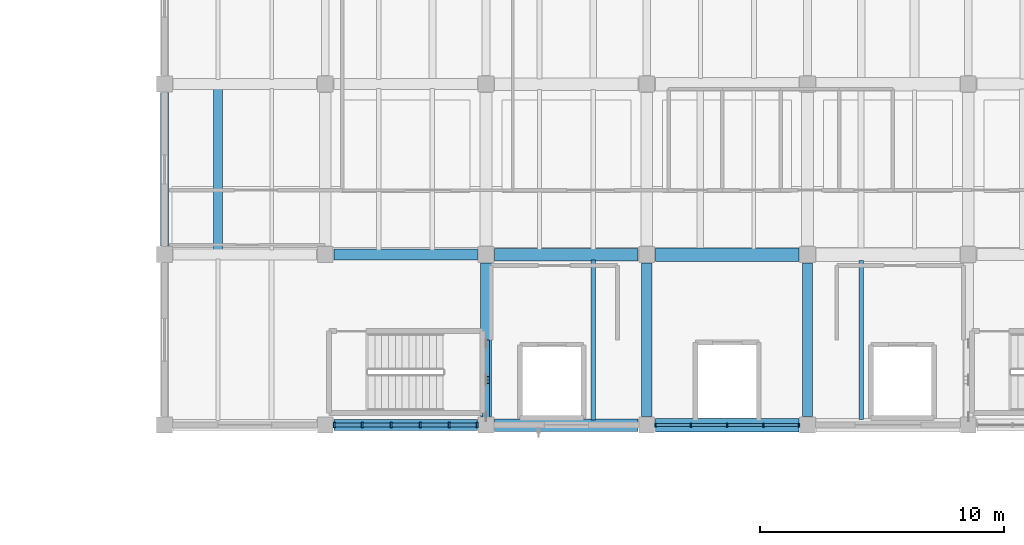
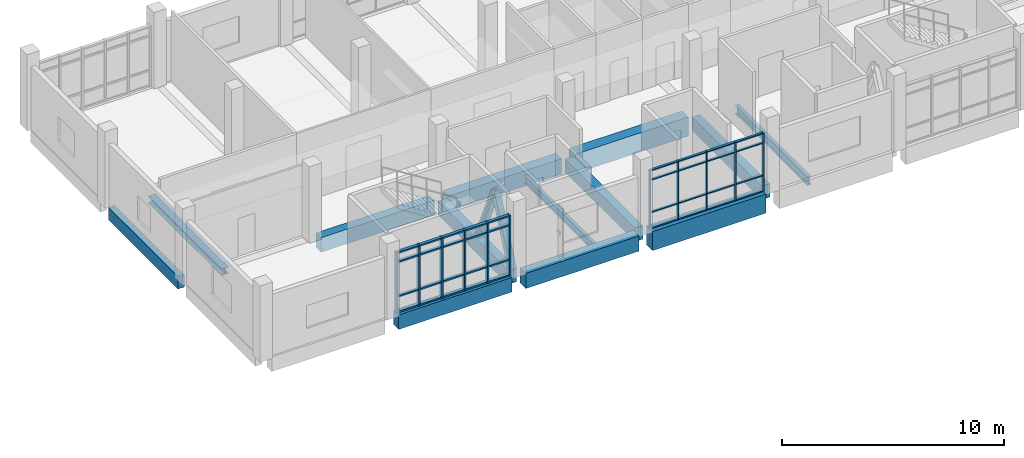
# One storey, part 2 of 16: 49 members, 13 beams, 2 elements without a shape of their own.
"""IFC4 building model written with IfcOpenShell, lengths in metres."""

from ifc_helpers import new_model, si_unit, direction, frame, origin, origin_2d, place, context, subcontext, project, spatial, rectangle, i_section, extrude, material, material_profile, profile_set, type_object, element, aggregate, save


model = new_model("IFC4")

# Units and contexts
model_context = context("Model", 3, precision=1e-05, world=origin(), true_north=direction((0.0, 1.0)))
body_context = subcontext(model_context, "Body", "Model", "MODEL_VIEW")
ifc_project = project(units=[si_unit("LENGTHUNIT", "METRE"), si_unit("AREAUNIT", "SQUARE_METRE"), si_unit("VOLUMEUNIT", "CUBIC_METRE"), si_unit("PLANEANGLEUNIT", "RADIAN"), si_unit("MASSUNIT", "GRAM", prefix="KILO")], contexts=[model_context])

# Site, building, storey
site_placement = place(None, origin())
site = spatial("IfcSite", under=ifc_project, at=site_placement, CompositionType="ELEMENT")
building_placement = place(site_placement, origin())
building = spatial("IfcBuilding", under=site, at=building_placement, Name="Ciguamira Faculty of Natural Sciences", CompositionType="ELEMENT")
storey_placement = place(building_placement, frame((0.0, 0.0, 25.199951171875)))
storey = spatial("IfcBuildingStorey", under=building, at=storey_placement, Name="L06", CompositionType="ELEMENT", Elevation=25.199951171875)

# Curtain wall, members
ifc_material_1 = material(Name="Anodized aluminium curtain wall", Category="aluminium")
curtain_wall_type_1 = type_object("IfcCurtainWallType", Name="CurtainWall_CW-10", PredefinedType="USERDEFINED", material=ifc_material_1)
curtain_wall_1_placement = place(storey_placement, origin())
curtain_wall_1 = element("IfcCurtainWall", 1, at=curtain_wall_1_placement, inside=storey, type_object=curtain_wall_type_1, Name="L06 unitised curtain wall 0142", ObjectType="UNITISED CURTAIN WALL", PredefinedType="USERDEFINED")
ifc_material_2 = material(Name="Anodized aluminium mullion", Category="aluminium")
ifc_material_profile_1 = material_profile(ifc_material_2, rectangle(XDim=0.06005859375, YDim=0.159912109375, at=origin_2d()), Name="ALU-MUL-60X160")
ifc_profile_set_1 = profile_set([ifc_material_profile_1], Name="Anodized aluminium mullion")
member_type_1 = type_object("IfcMemberType", Name="CWMullion_CWM-01", PredefinedType="MULLION", material=ifc_profile_set_1)
member_1_placement = place(storey_placement, frame((84.054931640625, 94.0, 0.0), z_axis=(0.0, 0.0, 1.0), x_axis=(1.0, 0.0, 0.0)))
member_1 = element("IfcMember", 2, at=member_1_placement, type_object=member_type_1, Name="CW-10 mullion 1", PredefinedType="MULLION", context=body_context, shape_type="SweptSolid", body=[
    extrude(rectangle(XDim=0.06005859375, YDim=0.159912109375, at=origin_2d()), origin(), (0.0, 0.0, 1.0), 3.235107421875),
])
member_2_placement = place(storey_placement, frame((85.512451171875, 94.0, 0.0), z_axis=(0.0, 0.0, 1.0), x_axis=(1.0, 0.0, 0.0)))
member_2 = element("IfcMember", 3, at=member_2_placement, type_object=member_type_1, Name="CW-10 mullion 2", PredefinedType="MULLION", context=body_context, shape_type="SweptSolid", body=[
    extrude(rectangle(XDim=0.06005859375, YDim=0.159912109375, at=origin_2d()), origin(), (0.0, 0.0, 1.0), 3.235107421875),
])
member_3_placement = place(storey_placement, frame((87.0, 94.0, 0.0), z_axis=(0.0, 0.0, 1.0), x_axis=(1.0, 0.0, 0.0)))
member_3 = element("IfcMember", 4, at=member_3_placement, type_object=member_type_1, Name="CW-10 mullion 3", PredefinedType="MULLION", context=body_context, shape_type="SweptSolid", body=[
    extrude(rectangle(XDim=0.06005859375, YDim=0.159912109375, at=origin_2d()), origin(), (0.0, 0.0, 1.0), 3.235107421875),
])
member_4_placement = place(storey_placement, frame((88.487548828125, 94.0, 0.0), z_axis=(0.0, 0.0, 1.0), x_axis=(1.0, 0.0, 0.0)))
member_4 = element("IfcMember", 5, at=member_4_placement, type_object=member_type_1, Name="CW-10 mullion 4", PredefinedType="MULLION", context=body_context, shape_type="SweptSolid", body=[
    extrude(rectangle(XDim=0.06005859375, YDim=0.159912109375, at=origin_2d()), origin(), (0.0, 0.0, 1.0), 3.235107421875),
])
member_5_placement = place(storey_placement, frame((89.945068359375, 94.0, 0.0), z_axis=(0.0, 0.0, 1.0), x_axis=(1.0, 0.0, 0.0)))
member_5 = element("IfcMember", 6, at=member_5_placement, type_object=member_type_1, Name="CW-10 mullion 5", PredefinedType="MULLION", context=body_context, shape_type="SweptSolid", body=[
    extrude(rectangle(XDim=0.06005859375, YDim=0.159912109375, at=origin_2d()), origin(), (0.0, 0.0, 1.0), 3.235107421875),
])

curtain_wall_type_2 = type_object("IfcCurtainWallType", Name="CurtainWall_CW-09", PredefinedType="USERDEFINED", material=ifc_material_1)
curtain_wall_2_placement = place(storey_placement, origin())
curtain_wall_2 = element("IfcCurtainWall", 7, at=curtain_wall_2_placement, inside=storey, type_object=curtain_wall_type_2, Name="L06 unitised curtain wall 0141", ObjectType="UNITISED CURTAIN WALL", PredefinedType="USERDEFINED")
ifc_material_profile_2 = material_profile(ifc_material_2, rectangle(XDim=0.080078125, YDim=0.219970703125, at=origin_2d()), Name="ALU-MUL-80X220")
ifc_profile_set_2 = profile_set([ifc_material_profile_2], Name="Anodized aluminium mullion")
member_type_2 = type_object("IfcMemberType", Name="CWMullion_CWM-03", PredefinedType="MULLION", material=ifc_profile_set_2)
member_6_placement = place(storey_placement, frame((70.864990234375, 94.0, 0.0), z_axis=(0.0, 0.0, 1.0), x_axis=(1.0, 0.0, 0.0)))
member_6 = element("IfcMember", 8, at=member_6_placement, type_object=member_type_2, Name="CW-09 mullion 1", PredefinedType="MULLION", context=body_context, shape_type="SweptSolid", body=[
    extrude(rectangle(XDim=0.080078125, YDim=0.219970703125, at=origin_2d()), origin(), (0.0, 0.0, 1.0), 3.344970703125),
])
member_7_placement = place(storey_placement, frame((72.014892578125, 94.0, 0.0), z_axis=(0.0, 0.0, 1.0), x_axis=(1.0, 0.0, 0.0)))
member_7 = element("IfcMember", 9, at=member_7_placement, type_object=member_type_2, Name="CW-09 mullion 2", PredefinedType="MULLION", context=body_context, shape_type="SweptSolid", body=[
    extrude(rectangle(XDim=0.080078125, YDim=0.219970703125, at=origin_2d()), origin(), (0.0, 0.0, 1.0), 3.344970703125),
])
member_8_placement = place(storey_placement, frame((73.205078125, 94.0, 0.0), z_axis=(0.0, 0.0, 1.0), x_axis=(1.0, 0.0, 0.0)))
member_8 = element("IfcMember", 10, at=member_8_placement, type_object=member_type_2, Name="CW-09 mullion 3", PredefinedType="MULLION", context=body_context, shape_type="SweptSolid", body=[
    extrude(rectangle(XDim=0.080078125, YDim=0.219970703125, at=origin_2d()), origin(), (0.0, 0.0, 1.0), 3.344970703125),
])
member_9_placement = place(storey_placement, frame((74.39501953125, 94.0, 0.0), z_axis=(0.0, 0.0, 1.0), x_axis=(1.0, 0.0, 0.0)))
member_9 = element("IfcMember", 11, at=member_9_placement, type_object=member_type_2, Name="CW-09 mullion 4", PredefinedType="MULLION", context=body_context, shape_type="SweptSolid", body=[
    extrude(rectangle(XDim=0.080078125, YDim=0.219970703125, at=origin_2d()), origin(), (0.0, 0.0, 1.0), 3.344970703125),
])
member_10_placement = place(storey_placement, frame((75.5849609375, 94.0, 0.0), z_axis=(0.0, 0.0, 1.0), x_axis=(1.0, 0.0, 0.0)))
member_10 = element("IfcMember", 12, at=member_10_placement, type_object=member_type_2, Name="CW-09 mullion 5", PredefinedType="MULLION", context=body_context, shape_type="SweptSolid", body=[
    extrude(rectangle(XDim=0.080078125, YDim=0.219970703125, at=origin_2d()), origin(), (0.0, 0.0, 1.0), 3.344970703125),
])
member_11_placement = place(storey_placement, frame((76.735107421875, 94.0, 0.0), z_axis=(0.0, 0.0, 1.0), x_axis=(1.0, 0.0, 0.0)))
member_11 = element("IfcMember", 13, at=member_11_placement, type_object=member_type_2, Name="CW-09 mullion 6", PredefinedType="MULLION", context=body_context, shape_type="SweptSolid", body=[
    extrude(rectangle(XDim=0.080078125, YDim=0.219970703125, at=origin_2d()), origin(), (0.0, 0.0, 1.0), 3.344970703125),
])

# Member
ifc_material_3 = material(Name="Anodized aluminium transom", Category="aluminium")
ifc_material_profile_3 = material_profile(ifc_material_3, rectangle(XDim=0.06005859375, YDim=0.1201171875, at=origin_2d()), Name="ALU-TRN-60X120")
ifc_profile_set_3 = profile_set([ifc_material_profile_3], Name="Anodized aluminium transom")
member_type_3 = type_object("IfcMemberType", Name="CWTransom_CWT-01", PredefinedType="USERDEFINED", material=ifc_profile_set_3)
member_12_placement = place(storey_placement, frame((84.0849609375, 94.0, 0.030029296875), z_axis=(1.0, 0.0, 0.0), x_axis=(0.0, 0.0, 1.0)))
member_12 = element("IfcMember", 14, at=member_12_placement, type_object=member_type_3, Name="CW-10 transom 1.1", ObjectType="TRANSOM", PredefinedType="USERDEFINED", context=body_context, shape_type="SweptSolid", body=[
    extrude(rectangle(XDim=0.06005859375, YDim=0.1201171875, at=origin_2d()), origin(), (0.0, 0.0, 1.0), 1.3974609375),
])

member_13_placement = place(storey_placement, frame((84.0849609375, 94.0, 0.900146484375), z_axis=(1.0, 0.0, 0.0), x_axis=(0.0, 0.0, 1.0)))
member_13 = element("IfcMember", 15, at=member_13_placement, type_object=member_type_3, Name="CW-10 transom 1.2", ObjectType="TRANSOM", PredefinedType="USERDEFINED", context=body_context, shape_type="SweptSolid", body=[
    extrude(rectangle(XDim=0.06005859375, YDim=0.1201171875, at=origin_2d()), origin(), (0.0, 0.0, 1.0), 1.3974609375),
])

member_14_placement = place(storey_placement, frame((84.0849609375, 94.0, 2.68505859375), z_axis=(1.0, 0.0, 0.0), x_axis=(0.0, 0.0, 1.0)))
member_14 = element("IfcMember", 16, at=member_14_placement, type_object=member_type_3, Name="CW-10 transom 1.3", ObjectType="TRANSOM", PredefinedType="USERDEFINED", context=body_context, shape_type="SweptSolid", body=[
    extrude(rectangle(XDim=0.06005859375, YDim=0.1201171875, at=origin_2d()), origin(), (0.0, 0.0, 1.0), 1.3974609375),
])

member_15_placement = place(storey_placement, frame((84.0849609375, 94.0, 3.205078125), z_axis=(1.0, 0.0, 0.0), x_axis=(0.0, 0.0, 1.0)))
member_15 = element("IfcMember", 17, at=member_15_placement, type_object=member_type_3, Name="CW-10 transom 1.4", ObjectType="TRANSOM", PredefinedType="USERDEFINED", context=body_context, shape_type="SweptSolid", body=[
    extrude(rectangle(XDim=0.06005859375, YDim=0.1201171875, at=origin_2d()), origin(), (0.0, 0.0, 1.0), 1.3974609375),
])

member_16_placement = place(storey_placement, frame((85.54248046875, 94.0, 0.030029296875), z_axis=(1.0, 0.0, 0.0), x_axis=(0.0, 0.0, 1.0)))
member_16 = element("IfcMember", 18, at=member_16_placement, type_object=member_type_3, Name="CW-10 transom 2.1", ObjectType="TRANSOM", PredefinedType="USERDEFINED", context=body_context, shape_type="SweptSolid", body=[
    extrude(rectangle(XDim=0.06005859375, YDim=0.1201171875, at=origin_2d()), origin(), (0.0, 0.0, 1.0), 1.427490234375),
])

member_17_placement = place(storey_placement, frame((85.54248046875, 94.0, 0.900146484375), z_axis=(1.0, 0.0, 0.0), x_axis=(0.0, 0.0, 1.0)))
member_17 = element("IfcMember", 19, at=member_17_placement, type_object=member_type_3, Name="CW-10 transom 2.2", ObjectType="TRANSOM", PredefinedType="USERDEFINED", context=body_context, shape_type="SweptSolid", body=[
    extrude(rectangle(XDim=0.06005859375, YDim=0.1201171875, at=origin_2d()), origin(), (0.0, 0.0, 1.0), 1.427490234375),
])

member_18_placement = place(storey_placement, frame((85.54248046875, 94.0, 2.68505859375), z_axis=(1.0, 0.0, 0.0), x_axis=(0.0, 0.0, 1.0)))
member_18 = element("IfcMember", 20, at=member_18_placement, type_object=member_type_3, Name="CW-10 transom 2.3", ObjectType="TRANSOM", PredefinedType="USERDEFINED", context=body_context, shape_type="SweptSolid", body=[
    extrude(rectangle(XDim=0.06005859375, YDim=0.1201171875, at=origin_2d()), origin(), (0.0, 0.0, 1.0), 1.427490234375),
])

member_19_placement = place(storey_placement, frame((85.54248046875, 94.0, 3.205078125), z_axis=(1.0, 0.0, 0.0), x_axis=(0.0, 0.0, 1.0)))
member_19 = element("IfcMember", 21, at=member_19_placement, type_object=member_type_3, Name="CW-10 transom 2.4", ObjectType="TRANSOM", PredefinedType="USERDEFINED", context=body_context, shape_type="SweptSolid", body=[
    extrude(rectangle(XDim=0.06005859375, YDim=0.1201171875, at=origin_2d()), origin(), (0.0, 0.0, 1.0), 1.427490234375),
])

member_20_placement = place(storey_placement, frame((87.030029296875, 94.0, 0.030029296875), z_axis=(1.0, 0.0, 0.0), x_axis=(0.0, 0.0, 1.0)))
member_20 = element("IfcMember", 22, at=member_20_placement, type_object=member_type_3, Name="CW-10 transom 3.1", ObjectType="TRANSOM", PredefinedType="USERDEFINED", context=body_context, shape_type="SweptSolid", body=[
    extrude(rectangle(XDim=0.06005859375, YDim=0.1201171875, at=origin_2d()), origin(), (0.0, 0.0, 1.0), 1.427490234375),
])

member_21_placement = place(storey_placement, frame((87.030029296875, 94.0, 0.900146484375), z_axis=(1.0, 0.0, 0.0), x_axis=(0.0, 0.0, 1.0)))
member_21 = element("IfcMember", 23, at=member_21_placement, type_object=member_type_3, Name="CW-10 transom 3.2", ObjectType="TRANSOM", PredefinedType="USERDEFINED", context=body_context, shape_type="SweptSolid", body=[
    extrude(rectangle(XDim=0.06005859375, YDim=0.1201171875, at=origin_2d()), origin(), (0.0, 0.0, 1.0), 1.427490234375),
])

member_22_placement = place(storey_placement, frame((87.030029296875, 94.0, 2.68505859375), z_axis=(1.0, 0.0, 0.0), x_axis=(0.0, 0.0, 1.0)))
member_22 = element("IfcMember", 24, at=member_22_placement, type_object=member_type_3, Name="CW-10 transom 3.3", ObjectType="TRANSOM", PredefinedType="USERDEFINED", context=body_context, shape_type="SweptSolid", body=[
    extrude(rectangle(XDim=0.06005859375, YDim=0.1201171875, at=origin_2d()), origin(), (0.0, 0.0, 1.0), 1.427490234375),
])

member_23_placement = place(storey_placement, frame((87.030029296875, 94.0, 3.205078125), z_axis=(1.0, 0.0, 0.0), x_axis=(0.0, 0.0, 1.0)))
member_23 = element("IfcMember", 25, at=member_23_placement, type_object=member_type_3, Name="CW-10 transom 3.4", ObjectType="TRANSOM", PredefinedType="USERDEFINED", context=body_context, shape_type="SweptSolid", body=[
    extrude(rectangle(XDim=0.06005859375, YDim=0.1201171875, at=origin_2d()), origin(), (0.0, 0.0, 1.0), 1.427490234375),
])

member_24_placement = place(storey_placement, frame((88.517578125, 94.0, 0.030029296875), z_axis=(1.0, 0.0, 0.0), x_axis=(0.0, 0.0, 1.0)))
member_24 = element("IfcMember", 26, at=member_24_placement, type_object=member_type_3, Name="CW-10 transom 4.1", ObjectType="TRANSOM", PredefinedType="USERDEFINED", context=body_context, shape_type="SweptSolid", body=[
    extrude(rectangle(XDim=0.06005859375, YDim=0.1201171875, at=origin_2d()), origin(), (0.0, 0.0, 1.0), 1.3974609375),
])

member_25_placement = place(storey_placement, frame((88.517578125, 94.0, 0.900146484375), z_axis=(1.0, 0.0, 0.0), x_axis=(0.0, 0.0, 1.0)))
member_25 = element("IfcMember", 27, at=member_25_placement, type_object=member_type_3, Name="CW-10 transom 4.2", ObjectType="TRANSOM", PredefinedType="USERDEFINED", context=body_context, shape_type="SweptSolid", body=[
    extrude(rectangle(XDim=0.06005859375, YDim=0.1201171875, at=origin_2d()), origin(), (0.0, 0.0, 1.0), 1.3974609375),
])

member_26_placement = place(storey_placement, frame((88.517578125, 94.0, 2.68505859375), z_axis=(1.0, 0.0, 0.0), x_axis=(0.0, 0.0, 1.0)))
member_26 = element("IfcMember", 28, at=member_26_placement, type_object=member_type_3, Name="CW-10 transom 4.3", ObjectType="TRANSOM", PredefinedType="USERDEFINED", context=body_context, shape_type="SweptSolid", body=[
    extrude(rectangle(XDim=0.06005859375, YDim=0.1201171875, at=origin_2d()), origin(), (0.0, 0.0, 1.0), 1.3974609375),
])

member_27_placement = place(storey_placement, frame((88.517578125, 94.0, 3.205078125), z_axis=(1.0, 0.0, 0.0), x_axis=(0.0, 0.0, 1.0)))
member_27 = element("IfcMember", 29, at=member_27_placement, type_object=member_type_3, Name="CW-10 transom 4.4", ObjectType="TRANSOM", PredefinedType="USERDEFINED", context=body_context, shape_type="SweptSolid", body=[
    extrude(rectangle(XDim=0.06005859375, YDim=0.1201171875, at=origin_2d()), origin(), (0.0, 0.0, 1.0), 1.3974609375),
])

aggregate(curtain_wall_1, [member_1, member_2, member_3, member_4, member_5, member_12, member_13, member_14, member_15, member_16, member_17, member_18, member_19, member_20, member_21, member_22, member_23, member_24, member_25, member_26, member_27])

ifc_material_profile_4 = material_profile(ifc_material_3, rectangle(XDim=0.080078125, YDim=0.159912109375, at=origin_2d()), Name="ALU-TRN-80X160")
ifc_profile_set_4 = profile_set([ifc_material_profile_4], Name="Anodized aluminium transom")
member_type_4 = type_object("IfcMemberType", Name="CWTransom_CWT-03", PredefinedType="USERDEFINED", material=ifc_profile_set_4)
member_28_placement = place(storey_placement, frame((70.905029296875, 94.0, 0.0400390625), z_axis=(1.0, 0.0, 0.0), x_axis=(0.0, 0.0, 1.0)))
member_28 = element("IfcMember", 30, at=member_28_placement, type_object=member_type_4, Name="CW-09 transom 1.1", ObjectType="TRANSOM", PredefinedType="USERDEFINED", context=body_context, shape_type="SweptSolid", body=[
    extrude(rectangle(XDim=0.080078125, YDim=0.159912109375, at=origin_2d()), origin(), (0.0, 0.0, 1.0), 1.070068359375),
])

member_29_placement = place(storey_placement, frame((70.905029296875, 94.0, 0.900146484375), z_axis=(1.0, 0.0, 0.0), x_axis=(0.0, 0.0, 1.0)))
member_29 = element("IfcMember", 31, at=member_29_placement, type_object=member_type_4, Name="CW-09 transom 1.2", ObjectType="TRANSOM", PredefinedType="USERDEFINED", context=body_context, shape_type="SweptSolid", body=[
    extrude(rectangle(XDim=0.080078125, YDim=0.159912109375, at=origin_2d()), origin(), (0.0, 0.0, 1.0), 1.070068359375),
])

member_30_placement = place(storey_placement, frame((70.905029296875, 94.0, 2.795166015625), z_axis=(1.0, 0.0, 0.0), x_axis=(0.0, 0.0, 1.0)))
member_30 = element("IfcMember", 32, at=member_30_placement, type_object=member_type_4, Name="CW-09 transom 1.3", ObjectType="TRANSOM", PredefinedType="USERDEFINED", context=body_context, shape_type="SweptSolid", body=[
    extrude(rectangle(XDim=0.080078125, YDim=0.159912109375, at=origin_2d()), origin(), (0.0, 0.0, 1.0), 1.070068359375),
])

member_31_placement = place(storey_placement, frame((70.905029296875, 94.0, 3.304931640625), z_axis=(1.0, 0.0, 0.0), x_axis=(0.0, 0.0, 1.0)))
member_31 = element("IfcMember", 33, at=member_31_placement, type_object=member_type_4, Name="CW-09 transom 1.4", ObjectType="TRANSOM", PredefinedType="USERDEFINED", context=body_context, shape_type="SweptSolid", body=[
    extrude(rectangle(XDim=0.080078125, YDim=0.159912109375, at=origin_2d()), origin(), (0.0, 0.0, 1.0), 1.070068359375),
])

member_32_placement = place(storey_placement, frame((72.054931640625, 94.0, 0.0400390625), z_axis=(1.0, 0.0, 0.0), x_axis=(0.0, 0.0, 1.0)))
member_32 = element("IfcMember", 34, at=member_32_placement, type_object=member_type_4, Name="CW-09 transom 2.1", ObjectType="TRANSOM", PredefinedType="USERDEFINED", context=body_context, shape_type="SweptSolid", body=[
    extrude(rectangle(XDim=0.080078125, YDim=0.159912109375, at=origin_2d()), origin(), (0.0, 0.0, 1.0), 1.110107421875),
])

member_33_placement = place(storey_placement, frame((72.054931640625, 94.0, 0.900146484375), z_axis=(1.0, 0.0, 0.0), x_axis=(0.0, 0.0, 1.0)))
member_33 = element("IfcMember", 35, at=member_33_placement, type_object=member_type_4, Name="CW-09 transom 2.2", ObjectType="TRANSOM", PredefinedType="USERDEFINED", context=body_context, shape_type="SweptSolid", body=[
    extrude(rectangle(XDim=0.080078125, YDim=0.159912109375, at=origin_2d()), origin(), (0.0, 0.0, 1.0), 1.110107421875),
])

member_34_placement = place(storey_placement, frame((72.054931640625, 94.0, 2.795166015625), z_axis=(1.0, 0.0, 0.0), x_axis=(0.0, 0.0, 1.0)))
member_34 = element("IfcMember", 36, at=member_34_placement, type_object=member_type_4, Name="CW-09 transom 2.3", ObjectType="TRANSOM", PredefinedType="USERDEFINED", context=body_context, shape_type="SweptSolid", body=[
    extrude(rectangle(XDim=0.080078125, YDim=0.159912109375, at=origin_2d()), origin(), (0.0, 0.0, 1.0), 1.110107421875),
])

member_35_placement = place(storey_placement, frame((72.054931640625, 94.0, 3.304931640625), z_axis=(1.0, 0.0, 0.0), x_axis=(0.0, 0.0, 1.0)))
member_35 = element("IfcMember", 37, at=member_35_placement, type_object=member_type_4, Name="CW-09 transom 2.4", ObjectType="TRANSOM", PredefinedType="USERDEFINED", context=body_context, shape_type="SweptSolid", body=[
    extrude(rectangle(XDim=0.080078125, YDim=0.159912109375, at=origin_2d()), origin(), (0.0, 0.0, 1.0), 1.110107421875),
])

member_36_placement = place(storey_placement, frame((73.2451171875, 94.0, 0.0400390625), z_axis=(1.0, 0.0, 0.0), x_axis=(0.0, 0.0, 1.0)))
member_36 = element("IfcMember", 38, at=member_36_placement, type_object=member_type_4, Name="CW-09 transom 3.1", ObjectType="TRANSOM", PredefinedType="USERDEFINED", context=body_context, shape_type="SweptSolid", body=[
    extrude(rectangle(XDim=0.080078125, YDim=0.159912109375, at=origin_2d()), origin(), (0.0, 0.0, 1.0), 1.10986328125),
])

member_37_placement = place(storey_placement, frame((73.2451171875, 94.0, 0.900146484375), z_axis=(1.0, 0.0, 0.0), x_axis=(0.0, 0.0, 1.0)))
member_37 = element("IfcMember", 39, at=member_37_placement, type_object=member_type_4, Name="CW-09 transom 3.2", ObjectType="TRANSOM", PredefinedType="USERDEFINED", context=body_context, shape_type="SweptSolid", body=[
    extrude(rectangle(XDim=0.080078125, YDim=0.159912109375, at=origin_2d()), origin(), (0.0, 0.0, 1.0), 1.10986328125),
])

member_38_placement = place(storey_placement, frame((73.2451171875, 94.0, 2.795166015625), z_axis=(1.0, 0.0, 0.0), x_axis=(0.0, 0.0, 1.0)))
member_38 = element("IfcMember", 40, at=member_38_placement, type_object=member_type_4, Name="CW-09 transom 3.3", ObjectType="TRANSOM", PredefinedType="USERDEFINED", context=body_context, shape_type="SweptSolid", body=[
    extrude(rectangle(XDim=0.080078125, YDim=0.159912109375, at=origin_2d()), origin(), (0.0, 0.0, 1.0), 1.10986328125),
])

member_39_placement = place(storey_placement, frame((73.2451171875, 94.0, 3.304931640625), z_axis=(1.0, 0.0, 0.0), x_axis=(0.0, 0.0, 1.0)))
member_39 = element("IfcMember", 41, at=member_39_placement, type_object=member_type_4, Name="CW-09 transom 3.4", ObjectType="TRANSOM", PredefinedType="USERDEFINED", context=body_context, shape_type="SweptSolid", body=[
    extrude(rectangle(XDim=0.080078125, YDim=0.159912109375, at=origin_2d()), origin(), (0.0, 0.0, 1.0), 1.10986328125),
])

member_40_placement = place(storey_placement, frame((74.43505859375, 94.0, 0.0400390625), z_axis=(1.0, 0.0, 0.0), x_axis=(0.0, 0.0, 1.0)))
member_40 = element("IfcMember", 42, at=member_40_placement, type_object=member_type_4, Name="CW-09 transom 4.1", ObjectType="TRANSOM", PredefinedType="USERDEFINED", context=body_context, shape_type="SweptSolid", body=[
    extrude(rectangle(XDim=0.080078125, YDim=0.159912109375, at=origin_2d()), origin(), (0.0, 0.0, 1.0), 1.10986328125),
])

member_41_placement = place(storey_placement, frame((74.43505859375, 94.0, 0.900146484375), z_axis=(1.0, 0.0, 0.0), x_axis=(0.0, 0.0, 1.0)))
member_41 = element("IfcMember", 43, at=member_41_placement, type_object=member_type_4, Name="CW-09 transom 4.2", ObjectType="TRANSOM", PredefinedType="USERDEFINED", context=body_context, shape_type="SweptSolid", body=[
    extrude(rectangle(XDim=0.080078125, YDim=0.159912109375, at=origin_2d()), origin(), (0.0, 0.0, 1.0), 1.10986328125),
])

member_42_placement = place(storey_placement, frame((74.43505859375, 94.0, 2.795166015625), z_axis=(1.0, 0.0, 0.0), x_axis=(0.0, 0.0, 1.0)))
member_42 = element("IfcMember", 44, at=member_42_placement, type_object=member_type_4, Name="CW-09 transom 4.3", ObjectType="TRANSOM", PredefinedType="USERDEFINED", context=body_context, shape_type="SweptSolid", body=[
    extrude(rectangle(XDim=0.080078125, YDim=0.159912109375, at=origin_2d()), origin(), (0.0, 0.0, 1.0), 1.10986328125),
])

member_43_placement = place(storey_placement, frame((74.43505859375, 94.0, 3.304931640625), z_axis=(1.0, 0.0, 0.0), x_axis=(0.0, 0.0, 1.0)))
member_43 = element("IfcMember", 45, at=member_43_placement, type_object=member_type_4, Name="CW-09 transom 4.4", ObjectType="TRANSOM", PredefinedType="USERDEFINED", context=body_context, shape_type="SweptSolid", body=[
    extrude(rectangle(XDim=0.080078125, YDim=0.159912109375, at=origin_2d()), origin(), (0.0, 0.0, 1.0), 1.10986328125),
])

member_44_placement = place(storey_placement, frame((75.625, 94.0, 0.0400390625), z_axis=(1.0, 0.0, 0.0), x_axis=(0.0, 0.0, 1.0)))
member_44 = element("IfcMember", 46, at=member_44_placement, type_object=member_type_4, Name="CW-09 transom 5.1", ObjectType="TRANSOM", PredefinedType="USERDEFINED", context=body_context, shape_type="SweptSolid", body=[
    extrude(rectangle(XDim=0.080078125, YDim=0.159912109375, at=origin_2d()), origin(), (0.0, 0.0, 1.0), 1.070068359375),
])

member_45_placement = place(storey_placement, frame((75.625, 94.0, 0.900146484375), z_axis=(1.0, 0.0, 0.0), x_axis=(0.0, 0.0, 1.0)))
member_45 = element("IfcMember", 47, at=member_45_placement, type_object=member_type_4, Name="CW-09 transom 5.2", ObjectType="TRANSOM", PredefinedType="USERDEFINED", context=body_context, shape_type="SweptSolid", body=[
    extrude(rectangle(XDim=0.080078125, YDim=0.159912109375, at=origin_2d()), origin(), (0.0, 0.0, 1.0), 1.070068359375),
])

member_46_placement = place(storey_placement, frame((75.625, 94.0, 2.795166015625), z_axis=(1.0, 0.0, 0.0), x_axis=(0.0, 0.0, 1.0)))
member_46 = element("IfcMember", 48, at=member_46_placement, type_object=member_type_4, Name="CW-09 transom 5.3", ObjectType="TRANSOM", PredefinedType="USERDEFINED", context=body_context, shape_type="SweptSolid", body=[
    extrude(rectangle(XDim=0.080078125, YDim=0.159912109375, at=origin_2d()), origin(), (0.0, 0.0, 1.0), 1.070068359375),
])

member_47_placement = place(storey_placement, frame((75.625, 94.0, 3.304931640625), z_axis=(1.0, 0.0, 0.0), x_axis=(0.0, 0.0, 1.0)))
member_47 = element("IfcMember", 49, at=member_47_placement, type_object=member_type_4, Name="CW-09 transom 5.4", ObjectType="TRANSOM", PredefinedType="USERDEFINED", context=body_context, shape_type="SweptSolid", body=[
    extrude(rectangle(XDim=0.080078125, YDim=0.159912109375, at=origin_2d()), origin(), (0.0, 0.0, 1.0), 1.070068359375),
])

aggregate(curtain_wall_2, [member_6, member_7, member_8, member_9, member_10, member_11, member_28, member_29, member_30, member_31, member_32, member_33, member_34, member_35, member_36, member_37, member_38, member_39, member_40, member_41, member_42, member_43, member_44, member_45, member_46, member_47])

# Beams
ifc_material_4 = material(Name="Concrete C40/50", Category="concrete")
ifc_material_profile_5 = material_profile(ifc_material_4, rectangle(XDim=0.550048828125, YDim=1.050048828125, at=origin_2d()), Name="RC-BM-550X1050")
ifc_profile_set_5 = profile_set([ifc_material_profile_5], Name="Concrete C40/50")
beam_type_1 = type_object("IfcBeamType", Name="RCBeam_BG-01_RC-BM-550X1050", PredefinedType="BEAM", material=ifc_profile_set_5)
for number, where, z_axis, x_axis, name in (
    (50, (84.050048828125, 94.0, -0.52490234375), (1.0, 0.0, 0.0), (0.0, 1.0, 0.0), "L06 RC girder EW-1499"),
    (51, (84.050048828125, 101.0, -0.52490234375), (1.0, 0.0, 0.0), (0.0, 1.0, 0.0), "L06 RC girder EW-1506"),
):
    element("IfcBeam", number, at=place(storey_placement, frame(where, z_axis=z_axis, x_axis=x_axis)), inside=storey, type_object=beam_type_1, Name=name, PredefinedType="BEAM", context=body_context, shape_type="SweptSolid", body=[
        extrude(rectangle(XDim=0.550048828125, YDim=1.050048828125, at=origin_2d()), origin(), (0.0, 0.0, 1.0), 5.89990234375),
    ])
ifc_material_profile_6 = material_profile(ifc_material_4, rectangle(XDim=0.449951171875, YDim=0.800048828125, at=origin_2d()), Name="RC-BM-450X800")
ifc_profile_set_6 = profile_set([ifc_material_profile_6], Name="Concrete C40/50")
beam_type_2 = type_object("IfcBeamType", Name="RCBeam_BG-05_RC-BM-450X800", PredefinedType="BEAM", material=ifc_profile_set_6)
for number, where, z_axis, x_axis, name in (
    (52, (70.85009765625, 94.0, -0.39990234375), (1.0, 0.0, 0.0), (0.0, 1.0, 0.0), "L06 RC girder EW-1497"),
    (53, (70.85009765625, 101.0, -0.39990234375), (1.0, 0.0, 0.0), (0.0, 1.0, 0.0), "L06 RC girder EW-1504"),
):
    element("IfcBeam", number, at=place(storey_placement, frame(where, z_axis=z_axis, x_axis=x_axis)), inside=storey, type_object=beam_type_2, Name=name, PredefinedType="BEAM", context=body_context, shape_type="SweptSolid", body=[
        extrude(rectangle(XDim=0.449951171875, YDim=0.800048828125, at=origin_2d()), origin(), (0.0, 0.0, 1.0), 5.89990234375),
    ])
ifc_material_profile_7 = material_profile(ifc_material_4, rectangle(XDim=0.43994140625, YDim=0.780029296875, at=origin_2d()), Name="RC-BM-440X780")
ifc_profile_set_7 = profile_set([ifc_material_profile_7], Name="Concrete C40/50")
beam_type_3 = type_object("IfcBeamType", Name="RCBeam_BG-06_RC-BM-440X780", PredefinedType="BEAM", material=ifc_profile_set_7)
beam_1_placement = place(storey_placement, frame((77.10009765625, 94.35009765625, -0.389892578125), z_axis=(0.0, 1.0, 0.0), x_axis=(-1.0, 0.0, 0.0)))
element("IfcBeam", 54, at=beam_1_placement, inside=storey, type_object=beam_type_3, Name="L06 core-end brace tie girder 77", PredefinedType="BEAM", context=body_context, shape_type="SweptSolid", body=[
    extrude(rectangle(XDim=0.43994140625, YDim=0.780029296875, at=origin_2d()), origin(), (0.0, 0.0, 1.0), 6.2998046875),
])
ifc_material_profile_8 = material_profile(ifc_material_4, rectangle(XDim=0.419921875, YDim=0.739990234375, at=origin_2d()), Name="RC-BM-420X740")
ifc_profile_set_8 = profile_set([ifc_material_profile_8], Name="Concrete C40/50")
beam_type_4 = type_object("IfcBeamType", Name="RCBeam_BG-07_RC-BM-420X740", PredefinedType="BEAM", material=ifc_profile_set_8)
for number, where, z_axis, x_axis, name in (
    (55, (83.699951171875, 94.35009765625, -0.369873046875), (0.0, 1.0, 0.0), (-1.0, 0.0, 0.0), "L06 girder NS-1531"),
    (56, (90.300048828125, 94.35009765625, -0.369873046875), (0.0, 1.0, 0.0), (-1.0, 0.0, 0.0), "L06 girder NS-1534"),
):
    element("IfcBeam", number, at=place(storey_placement, frame(where, z_axis=z_axis, x_axis=x_axis)), inside=storey, type_object=beam_type_4, Name=name, PredefinedType="BEAM", context=body_context, shape_type="SweptSolid", body=[
        extrude(rectangle(XDim=0.419921875, YDim=0.739990234375, at=origin_2d()), origin(), (0.0, 0.0, 1.0), 6.2998046875),
    ])
ifc_material_5 = material(Name="Precast concrete C40/50", Category="concrete")
ifc_material_profile_9 = material_profile(ifc_material_5, rectangle(XDim=0.320068359375, YDim=0.679931640625, at=origin_2d()), Name="RC-SP-320X680")
ifc_profile_set_9 = profile_set([ifc_material_profile_9], Name="Precast concrete C40/50")
beam_type_5 = type_object("IfcBeamType", Name="RCBeam_SP-02_RC-SP-320X680", PredefinedType="SPANDREL", material=ifc_profile_set_9)
beam_2_placement = place(storey_placement, frame((63.89990234375, 101.35009765625, -0.33984375), z_axis=(0.0, 1.0, 0.0), x_axis=(-1.0, 0.0, 0.0)))
element("IfcBeam", 57, at=beam_2_placement, inside=storey, type_object=beam_type_5, Name="L06 girder NS-1525", PredefinedType="SPANDREL", context=body_context, shape_type="SweptSolid", body=[
    extrude(rectangle(XDim=0.320068359375, YDim=0.679931640625, at=origin_2d()), origin(), (0.0, 0.0, 1.0), 6.2998046875),
])
ifc_material_profile_10 = material_profile(ifc_material_4, rectangle(XDim=0.52001953125, YDim=0.840087890625, at=origin_2d()), Name="RC-TB-520X840")
ifc_profile_set_10 = profile_set([ifc_material_profile_10], Name="Concrete C40/50")
beam_type_6 = type_object("IfcBeamType", Name="RCBeam_TB-02_RC-TB-520X840", PredefinedType="T_BEAM", material=ifc_profile_set_10)
for number, where, z_axis, x_axis, name in (
    (58, (77.449951171875, 94.0, -0.419921875), (1.0, 0.0, 0.0), (0.0, 1.0, 0.0), "L06 RC girder EW-1498"),
    (59, (77.449951171875, 101.0, -0.419921875), (1.0, 0.0, 0.0), (0.0, 1.0, 0.0), "L06 RC girder EW-1505"),
):
    element("IfcBeam", number, at=place(storey_placement, frame(where, z_axis=z_axis, x_axis=x_axis)), inside=storey, type_object=beam_type_6, Name=name, PredefinedType="T_BEAM", context=body_context, shape_type="SweptSolid", body=[
        extrude(rectangle(XDim=0.52001953125, YDim=0.840087890625, at=origin_2d()), origin(), (0.0, 0.0, 1.0), 5.900146484375),
    ])
ifc_material_6 = material(Name="Steel ASTM A992 Grade 50", Category="steel")
ifc_material_profile_11 = material_profile(ifc_material_6, i_section(OverallWidth=0.368408203125, OverallDepth=0.355712890625, WebThickness=0.01123046875, FlangeThickness=0.01806640625, at=origin_2d()), Name="W14X90")
ifc_profile_set_11 = profile_set([ifc_material_profile_11], Name="Steel ASTM A992 Grade 50")
beam_type_7 = type_object("IfcBeamType", Name="SteelJoist_SJ-16_W14X90", PredefinedType="JOIST", material=ifc_profile_set_11)
beam_3_placement = place(storey_placement, frame((66.10009765625, 101.18505859375, -0.417724609375), z_axis=(0.0, 1.0, 0.0), x_axis=(-1.0, 0.0, 0.0)))
element("IfcBeam", 60, at=beam_3_placement, inside=storey, type_object=beam_type_7, Name="L06 composite steel joist 01384", PredefinedType="JOIST", context=body_context, shape_type="SweptSolid", body=[
    extrude(i_section(OverallWidth=0.368408203125, OverallDepth=0.355712890625, WebThickness=0.01123046875, FlangeThickness=0.01806640625, at=origin_2d()), origin(), (0.0, 0.0, 1.0), 6.6298828125),
])
ifc_material_profile_12 = material_profile(ifc_material_6, i_section(OverallWidth=0.177490234375, OverallDepth=0.40380859375, WebThickness=0.007568359375, FlangeThickness=0.010986328125, at=origin_2d()), Name="W16X36")
ifc_profile_set_12 = profile_set([ifc_material_profile_12], Name="Steel ASTM A992 Grade 50")
beam_type_8 = type_object("IfcBeamType", Name="SteelJoist_SJ-18_W16X36", PredefinedType="JOIST", material=ifc_profile_set_12)
beam_4_placement = place(storey_placement, frame((81.5, 94.219970703125, -0.44189453125), z_axis=(0.0, 1.0, 0.0), x_axis=(-1.0, 0.0, 0.0)))
element("IfcBeam", 61, at=beam_4_placement, inside=storey, type_object=beam_type_8, Name="L06 composite steel joist 01392", PredefinedType="JOIST", context=body_context, shape_type="SweptSolid", body=[
    extrude(i_section(OverallWidth=0.177490234375, OverallDepth=0.40380859375, WebThickness=0.007568359375, FlangeThickness=0.010986328125, at=origin_2d()), origin(), (0.0, 0.0, 1.0), 6.56005859375),
])
ifc_material_profile_13 = material_profile(ifc_material_6, i_section(OverallWidth=0.1904296875, OverallDepth=0.457275390625, WebThickness=0.009033203125, FlangeThickness=0.014404296875, at=origin_2d()), Name="W18X50")
ifc_profile_set_13 = profile_set([ifc_material_profile_13], Name="Steel ASTM A992 Grade 50")
beam_type_9 = type_object("IfcBeamType", Name="SteelJoist_SJ-23_W18X50", PredefinedType="JOIST", material=ifc_profile_set_13)
beam_5_placement = place(storey_placement, frame((92.5, 94.235107421875, -0.468505859375), z_axis=(0.0, 1.0, 0.0), x_axis=(-1.0, 0.0, 0.0)))
element("IfcBeam", 62, at=beam_5_placement, inside=storey, type_object=beam_type_9, Name="L06 composite steel joist 01401", PredefinedType="JOIST", context=body_context, shape_type="SweptSolid", body=[
    extrude(i_section(OverallWidth=0.1904296875, OverallDepth=0.457275390625, WebThickness=0.009033203125, FlangeThickness=0.014404296875, at=origin_2d()), origin(), (0.0, 0.0, 1.0), 6.52978515625),
])

# Members
ifc_material_profile_14 = material_profile(ifc_material_6, i_section(OverallWidth=0.3046875, OverallDepth=0.307373046875, WebThickness=0.010009765625, FlangeThickness=0.015380859375, at=origin_2d()), Name="W12X65")
ifc_profile_set_14 = profile_set([ifc_material_profile_14], Name="Steel ASTM A992 Grade 50")
member_type_5 = type_object("IfcMemberType", Name="SteelMember_BR-04_W12X65", PredefinedType="BRACE", material=ifc_profile_set_14)
for number, where, z_axis, x_axis, name in (
    (63, (77.10009765625, 94.35009765625, 0.0), (0.0, 0.401645143601, 0.915795380323), (-1.0, 0.0, 0.0), "L06 lateral chevron brace 029"),
    (64, (77.10009765625, 97.35009765625, 0.0), (0.0, -0.401645143601, 0.915795380323), (1.0, 0.0, 0.0), "L06 lateral chevron brace 030"),
):
    element("IfcMember", number, at=place(storey_placement, frame(where, z_axis=z_axis, x_axis=x_axis)), inside=storey, type_object=member_type_5, Name=name, PredefinedType="BRACE", context=body_context, shape_type="SweptSolid", body=[
        extrude(i_section(OverallWidth=0.3046875, OverallDepth=0.307373046875, WebThickness=0.010009765625, FlangeThickness=0.015380859375, at=origin_2d()), origin(), (0.0, 0.0, 1.0), 3.734619140625),
    ])

save(model, "model.ifc")
